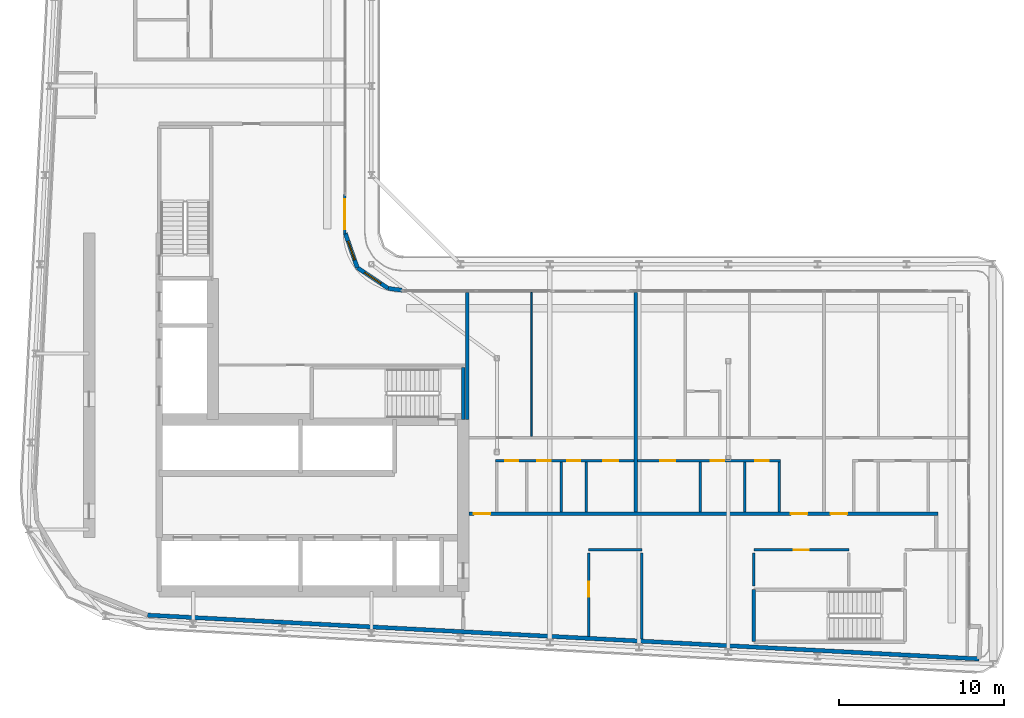
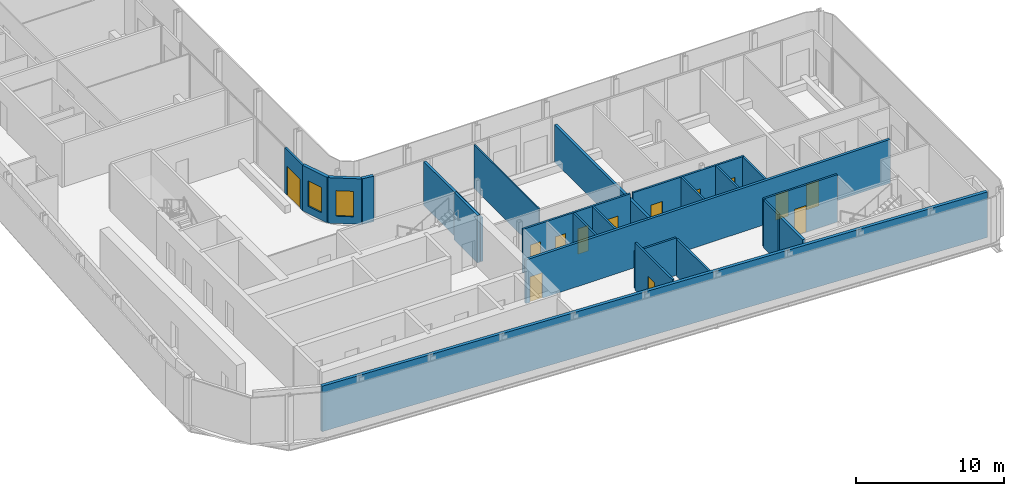
# One storey, part 11 of 22: 23 walls, 13 doors, 2 windows, 15 openings.
"""IFC4 building model written with IfcOpenShell, lengths in metres."""

from ifc_helpers import new_model, si_unit, direction, frame, frame_2d, origin, place, context, subcontext, project, spatial, rectangle, extrude, source, transform, mapped, material, layer, layer_set, type_object, element, fill, save


model = new_model("IFC4")

# Units and contexts
model_context = context("Model", 3, precision=1e-05, world=origin(), true_north=direction((0.0, 1.0)))
body_context = subcontext(model_context, "Body", "Model", "MODEL_VIEW")
ifc_project = project(units=[si_unit("LENGTHUNIT", "METRE"), si_unit("AREAUNIT", "SQUARE_METRE"), si_unit("VOLUMEUNIT", "CUBIC_METRE"), si_unit("PLANEANGLEUNIT", "RADIAN"), si_unit("MASSUNIT", "GRAM", prefix="KILO")], contexts=[model_context])

# Site, building, storey
site_placement = place(None, origin())
site = spatial("IfcSite", under=ifc_project, at=site_placement, CompositionType="ELEMENT")
building_placement = place(site_placement, origin())
building = spatial("IfcBuilding", under=site, at=building_placement, Name="Kheshtan School and Residences Tower", CompositionType="ELEMENT")
storey_placement = place(building_placement, frame((0.0, 0.0, 251.300048828125)))
storey = spatial("IfcBuildingStorey", under=building, at=storey_placement, Name="L59", CompositionType="ELEMENT", Elevation=251.300048828125)

# Wall, openings, doors
ifc_material_1 = material(Name="Gypsum board on steel studs with fire boards", Category="steel")
ifc_layer_1 = layer(ifc_material_1, 0.199951171875)
ifc_layer_set_1 = layer_set([ifc_layer_1], Name="Corridor wall 200")
wall_type_1 = type_object("IfcWallType", Name="Corridor wall 200", PredefinedType="PARTITIONING", material=ifc_layer_set_1)
wall_1_placement = place(storey_placement, frame((53.4990234375, 30.5, 0.0), z_axis=(0.0, 0.0, 1.0), x_axis=(1.0, 0.0, 0.0)))
wall_1 = element("IfcWall", 1, at=wall_1_placement, inside=storey, type_object=wall_type_1, Name="Partition L59-031", PredefinedType="PARTITIONING", context=body_context, shape_type="SweptSolid", body=[
    extrude(rectangle(XDim=28.40087890625, YDim=0.199951171875, at=frame_2d((14.200439453125, 0.0))), origin(), (0.0, 0.0, 1.0), 3.599853515625),
])
opening_1_placement = place(wall_1_placement, frame((0.301025390625, 0.0, 0.0)))
opening_1 = element("IfcOpeningElement", 2, at=opening_1_placement, cuts=wall_1, Name="Opening D58-003", PredefinedType="OPENING", context=body_context, shape_type="SweptSolid", body=[
    extrude(rectangle(XDim=1.0, YDim=2.10009765625, at=frame_2d((0.5, 1.050048828125))), frame((0.0, 0.10986328125, 0.0), z_axis=(0.0, -1.0, 0.0), x_axis=(1.0, 0.0, 0.0)), (0.0, 0.0, 1.0), 0.219970703125),
])
opening_2_placement = place(wall_1_placement, frame((19.5009765625, 0.0, 0.0)))
opening_2 = element("IfcOpeningElement", 3, at=opening_2_placement, cuts=wall_1, Name="Opening D58-011", PredefinedType="OPENING", context=body_context, shape_type="SweptSolid", body=[
    extrude(rectangle(XDim=1.0, YDim=2.10009765625, at=frame_2d((0.5, 1.050048828125))), frame((0.0, 0.10986328125, 0.0), z_axis=(0.0, -1.0, 0.0), x_axis=(1.0, 0.0, 0.0)), (0.0, 0.0, 1.0), 0.219970703125),
])
opening_3_placement = place(wall_1_placement, frame((21.90087890625, 0.0, 0.0)))
opening_3 = element("IfcOpeningElement", 4, at=opening_3_placement, cuts=wall_1, Name="Opening D58-018", PredefinedType="OPENING", context=body_context, shape_type="SweptSolid", body=[
    extrude(rectangle(XDim=1.0, YDim=2.10009765625, at=frame_2d((0.5, 1.050048828125))), frame((0.0, 0.10986328125, 0.0), z_axis=(0.0, -1.0, 0.0), x_axis=(1.0, 0.0, 0.0)), (0.0, 0.0, 1.0), 0.219970703125),
])
ifc_material_2 = material(Name="Steel-framed fire-resisting door leaf", Category="steel")
door_type_1 = type_object("IfcDoorType", Name="Fire door FD30S 1000 x 2100", OperationType="SINGLE_SWING_LEFT", PredefinedType="DOOR", material=ifc_material_2)
shared_shape_1 = source(origin(), body_context, "Body", "SweptSolid", [
    extrude(rectangle(XDim=1.0, YDim=2.10009765625, at=frame_2d((0.5, 1.050048828125))), frame((0.0, 0.02490234375, 0.0), z_axis=(0.0, -1.0, 0.0), x_axis=(1.0, 0.0, 0.0)), (0.0, 0.0, 1.0), 0.050048828125),
])
door_1_placement = place(opening_1_placement, origin())
door_1 = element("IfcDoor", 5, at=door_1_placement, inside=storey, type_object=door_type_1, Name="Door D58-003", OperationType="SINGLE_SWING_LEFT", OverallHeight=2.10009765625, OverallWidth=1.0, PredefinedType="DOOR", context=body_context, shape_type="MappedRepresentation", body=[
    mapped(shared_shape_1, transform((0.0, 0.0, 0.0), x_axis=(1.0, 0.0, 0.0), y_axis=(0.0, 1.0, 0.0), z_axis=(0.0, 0.0, 1.0), scale=1.0)),
])
fill(opening_1, door_1)
door_2_placement = place(opening_2_placement, origin())
door_2 = element("IfcDoor", 6, at=door_2_placement, inside=storey, type_object=door_type_1, Name="Door D58-011", OperationType="SINGLE_SWING_LEFT", OverallHeight=2.10009765625, OverallWidth=1.0, PredefinedType="DOOR", context=body_context, shape_type="MappedRepresentation", body=[
    mapped(shared_shape_1, transform((0.0, 0.0, 0.0), x_axis=(1.0, 0.0, 0.0), y_axis=(0.0, 1.0, 0.0), z_axis=(0.0, 0.0, 1.0), scale=1.0)),
])
fill(opening_2, door_2)
door_3_placement = place(opening_3_placement, origin())
door_3 = element("IfcDoor", 7, at=door_3_placement, inside=storey, type_object=door_type_1, Name="Door D58-018", OperationType="SINGLE_SWING_LEFT", OverallHeight=2.10009765625, OverallWidth=1.0, PredefinedType="DOOR", context=body_context, shape_type="MappedRepresentation", body=[
    mapped(shared_shape_1, transform((0.0, 0.0, 0.0), x_axis=(1.0, 0.0, 0.0), y_axis=(0.0, 1.0, 0.0), z_axis=(0.0, 0.0, 1.0), scale=1.0)),
])
fill(opening_3, door_3)

# Wall, opening, window
ifc_material_3 = material(Name="Concrete C40/50 with ceramic cladding and mineral wool insulation", Category="concrete")
ifc_layer_2 = layer(ifc_material_3, 0.25)
ifc_layer_set_2 = layer_set([ifc_layer_2], Name="External wall 250 ceramic clad")
wall_type_2 = type_object("IfcWallType", Name="External wall 250 ceramic clad", PredefinedType="SOLIDWALL", material=ifc_layer_set_2)
wall_2_placement = place(storey_placement, frame((46.01806640625, 47.470947265625, 0.0), z_axis=(0.0, 0.0, 1.0), x_axis=(0.328791208903, -0.944402637093, 0.0)))
wall_2 = element("IfcWall", 8, at=wall_2_placement, inside=storey, type_object=wall_type_2, Name="External wall L59 9", PredefinedType="SOLIDWALL", context=body_context, shape_type="SweptSolid", body=[
    extrude(rectangle(XDim=2.20458984375, YDim=0.25, at=frame_2d((1.102294921875, 0.0))), origin(), (0.0, 0.0, 1.0), 3.75),
])
opening_4_placement = place(wall_2_placement, frame((0.5029296875, 0.0, 0.60009765625)))
opening_4 = element("IfcOpeningElement", 9, at=opening_4_placement, cuts=wall_2, Name="Opening WN-E", PredefinedType="OPENING", context=body_context, shape_type="SweptSolid", body=[
    extrude(rectangle(XDim=1.199951171875, YDim=2.10009765625, at=frame_2d((0.60009765625, 1.050048828125))), frame((0.0, 0.135009765625, 0.0), z_axis=(0.0, -1.0, 0.0), x_axis=(1.0, 0.0, 0.0)), (0.0, 0.0, 1.0), 0.27001953125),
])
ifc_material_4 = material(Name="Clear low-e glass in thermally broken aluminium frame", Category="aluminium")
window_type = type_object("IfcWindowType", Name="Window WN-E", PartitioningType="SINGLE_PANEL", PredefinedType="WINDOW", material=ifc_material_4)
shared_shape_2 = source(origin(), body_context, "Body", "SweptSolid", [
    extrude(rectangle(XDim=1.199951171875, YDim=2.10009765625, at=frame_2d((0.60009765625, 1.050048828125))), frame((0.0, 0.030029296875, 0.0), z_axis=(0.0, -1.0, 0.0), x_axis=(1.0, 0.0, 0.0)), (0.0, 0.0, 1.0), 0.06005859375),
])
window_1_placement = place(opening_4_placement, origin())
window_1 = element("IfcWindow", 10, at=window_1_placement, inside=storey, type_object=window_type, Name="Window L59 9", OverallHeight=2.10009765625, OverallWidth=1.199951171875, PartitioningType="SINGLE_PANEL", PredefinedType="WINDOW", context=body_context, shape_type="MappedRepresentation", body=[
    mapped(shared_shape_2, transform((0.0, 0.0, 0.0), x_axis=(1.0, 0.0, 0.0), y_axis=(0.0, 1.0, 0.0), z_axis=(0.0, 0.0, 1.0), scale=1.0)),
])
fill(opening_4, window_1)

wall_3_placement = place(storey_placement, frame((46.742919921875, 45.388916015625, 0.0), z_axis=(0.0, 0.0, 1.0), x_axis=(0.831449265529, -0.555600682912, 0.0)))
wall_3 = element("IfcWall", 11, at=wall_3_placement, inside=storey, type_object=wall_type_2, Name="External wall L59 10", PredefinedType="SOLIDWALL", context=body_context, shape_type="SweptSolid", body=[
    extrude(rectangle(XDim=2.25146484375, YDim=0.25, at=frame_2d((1.125732421875, 0.0))), origin(), (0.0, 0.0, 1.0), 3.75),
])
opening_5_placement = place(wall_3_placement, frame((0.52490234375, 0.0, 0.60009765625)))
opening_5 = element("IfcOpeningElement", 12, at=opening_5_placement, cuts=wall_3, Name="Opening WN-E", PredefinedType="OPENING", context=body_context, shape_type="SweptSolid", body=[
    extrude(rectangle(XDim=1.199951171875, YDim=2.10009765625, at=frame_2d((0.60009765625, 1.050048828125))), frame((0.0, 0.135009765625, 0.0), z_axis=(0.0, -1.0, 0.0), x_axis=(1.0, 0.0, 0.0)), (0.0, 0.0, 1.0), 0.27001953125),
])
window_2_placement = place(opening_5_placement, origin())
window_2 = element("IfcWindow", 13, at=window_2_placement, inside=storey, type_object=window_type, Name="Window L59 10", OverallHeight=2.10009765625, OverallWidth=1.199951171875, PartitioningType="SINGLE_PANEL", PredefinedType="WINDOW", context=body_context, shape_type="MappedRepresentation", body=[
    mapped(shared_shape_2, transform((0.0, 0.0, 0.0), x_axis=(1.0, 0.0, 0.0), y_axis=(0.0, 1.0, 0.0), z_axis=(0.0, 0.0, 1.0), scale=1.0)),
])
fill(opening_5, window_2)

# Walls
wall_4_placement = place(storey_placement, frame((48.614990234375, 44.137939453125, 0.0), z_axis=(0.0, 0.0, 1.0), x_axis=(0.990741504246, -0.135761819977, 0.0)))
element("IfcWall", 14, at=wall_4_placement, inside=storey, type_object=wall_type_2, Name="External wall L59 11", PredefinedType="SOLIDWALL", context=body_context, shape_type="SweptSolid", body=[
    extrude(rectangle(XDim=0.83984375, YDim=0.25, at=frame_2d((0.419921875, 0.0))), origin(), (0.0, 0.0, 1.0), 3.75),
])
wall_5_placement = place(storey_placement, frame((84.385986328125, 21.702880859375, 0.0), z_axis=(0.0, 0.0, 1.0), x_axis=(-0.998617508267, 0.05256493302, 0.0)))
element("IfcWall", 15, at=wall_5_placement, inside=storey, type_object=wall_type_2, Name="External wall L59 16", PredefinedType="SOLIDWALL", context=body_context, shape_type="SweptSolid", body=[
    extrude(rectangle(XDim=50.41650390625, YDim=0.25, at=frame_2d((25.208251953125, 0.0))), origin(), (0.0, 0.0, 1.0), 3.75),
])

# Wall, opening, door
ifc_material_5 = material(Name="Aluminium frame wall with insulated infill", Category="aluminium")
ifc_layer_3 = layer(ifc_material_5, 0.14990234375)
ifc_layer_set_3 = layer_set([ifc_layer_3], Name="Glazing frame wall 150")
wall_type_3 = type_object("IfcWallType", Name="Glazing frame wall 150", PredefinedType="SOLIDWALL", material=ifc_layer_set_3)
wall_6_placement = place(storey_placement, frame((45.97509765625, 49.830078125, 0.0), z_axis=(0.0, 0.0, 1.0), x_axis=(0.0, -1.0, 0.0)))
wall_6 = element("IfcWall", 16, at=wall_6_placement, inside=storey, type_object=wall_type_3, Name="Balcony door wall L59 8.5", PredefinedType="SOLIDWALL", context=body_context, shape_type="SweptSolid", body=[
    extrude(rectangle(XDim=2.400146484375, YDim=0.14990234375, at=frame_2d((1.2001953125, 0.0))), origin(), (0.0, 0.0, 1.0), 3.75),
])
opening_6_placement = place(wall_6_placement, frame((0.300048828125, 0.0, 0.0)))
opening_6 = element("IfcOpeningElement", 17, at=opening_6_placement, cuts=wall_6, Name="Opening BD", PredefinedType="OPENING", context=body_context, shape_type="SweptSolid", body=[
    extrude(rectangle(XDim=1.800048828125, YDim=2.39990234375, at=frame_2d((0.89990234375, 1.199951171875))), frame((0.0, 0.0849609375, 0.0), z_axis=(0.0, -1.0, 0.0), x_axis=(1.0, 0.0, 0.0)), (0.0, 0.0, 1.0), 0.169921875),
])
door_type_2 = type_object("IfcDoorType", Name="Balcony sliding door", OperationType="SLIDING_TO_LEFT", PredefinedType="DOOR", material=ifc_material_4)
shared_shape_3 = source(origin(), body_context, "Body", "SweptSolid", [
    extrude(rectangle(XDim=1.800048828125, YDim=2.39990234375, at=frame_2d((0.89990234375, 1.199951171875))), frame((0.0, 0.02490234375, 0.0), z_axis=(0.0, -1.0, 0.0), x_axis=(1.0, 0.0, 0.0)), (0.0, 0.0, 1.0), 0.050048828125),
])
door_4_placement = place(opening_6_placement, origin())
door_4 = element("IfcDoor", 18, at=door_4_placement, inside=storey, type_object=door_type_2, Name="Balcony door L59 8.5", OperationType="SLIDING_TO_LEFT", OverallHeight=2.39990234375, OverallWidth=1.800048828125, PredefinedType="DOOR", context=body_context, shape_type="MappedRepresentation", body=[
    mapped(shared_shape_3, transform((0.0, 0.0, 0.0), x_axis=(1.0, 0.0, 0.0), y_axis=(0.0, 1.0, 0.0), z_axis=(0.0, 0.0, 1.0), scale=1.0)),
])
fill(opening_6, door_4)

# Walls
ifc_material_6 = material(Name="Gypsum board on steel studs", Category="steel")
ifc_layer_4 = layer(ifc_material_6, 0.10009765625)
ifc_layer_set_4 = layer_set([ifc_layer_4], Name="Gypsum partition 100")
wall_type_4 = type_object("IfcWallType", Name="Gypsum partition 100", PredefinedType="PARTITIONING", material=ifc_layer_set_4)
wall_7_placement = place(storey_placement, frame((57.300048828125, 35.175048828125, 0.0), z_axis=(0.0, 0.0, 1.0), x_axis=(0.0, 1.0, 0.0)))
element("IfcWall", 19, at=wall_7_placement, inside=storey, type_object=wall_type_4, Name="Partition L59-036", PredefinedType="PARTITIONING", context=body_context, shape_type="SweptSolid", body=[
    extrude(rectangle(XDim=8.724853515625, YDim=0.10009765625, at=frame_2d((4.3623046875, 0.0))), origin(), (0.0, 0.0, 1.0), 3.599853515625),
])
ifc_material_7 = material(Name="Fire-board shaft wall system")
ifc_layer_5 = layer(ifc_material_7, 0.14990234375)
ifc_layer_set_5 = layer_set([ifc_layer_5], Name="Service room wall 150")
wall_type_5 = type_object("IfcWallType", Name="Service room wall 150", PredefinedType="PARTITIONING", material=ifc_layer_set_5)
wall_8_placement = place(storey_placement, frame((60.75, 28.300048828125, 0.0), z_axis=(0.0, 0.0, 1.0), x_axis=(1.0, 0.0, 0.0)))
element("IfcWall", 20, at=wall_8_placement, inside=storey, type_object=wall_type_5, Name="Service room wall", PredefinedType="PARTITIONING", context=body_context, shape_type="SweptSolid", body=[
    extrude(rectangle(XDim=3.22998046875, YDim=0.14990234375, at=frame_2d((1.614990234375, 0.0))), origin(), (0.0, 0.0, 1.0), 3.072021484375),
])

# Wall, opening, door
wall_9_placement = place(storey_placement, frame((60.75, 23.074951171875, 0.0), z_axis=(0.0, 0.0, 1.0), x_axis=(0.0, 1.0, 0.0)))
wall_9 = element("IfcWall", 21, at=wall_9_placement, inside=storey, type_object=wall_type_5, Name="Service room wall", PredefinedType="PARTITIONING", context=body_context, shape_type="SweptSolid", body=[
    extrude(rectangle(XDim=5.030029296875, YDim=0.14990234375, at=frame_2d((2.51513671875, 0.0))), origin(), (0.0, 0.0, 1.0), 3.89990234375),
])
opening_7_placement = place(wall_9_placement, frame((2.386962890625, 0.0, 0.0)))
opening_7 = element("IfcOpeningElement", 22, at=opening_7_placement, cuts=wall_9, Name="Opening SR90", PredefinedType="OPENING", context=body_context, shape_type="SweptSolid", body=[
    extrude(rectangle(XDim=0.89990234375, YDim=2.199951171875, at=frame_2d((0.449951171875, 1.10009765625))), frame((0.0, 0.0849609375, 0.0), z_axis=(0.0, -1.0, 0.0), x_axis=(1.0, 0.0, 0.0)), (0.0, 0.0, 1.0), 0.169921875),
])
ifc_material_8 = material(Name="Steel door leaf, galvanised", Category="steel")
door_type_3 = type_object("IfcDoorType", Name="Service room door 900 steel 90 min", OperationType="SINGLE_SWING_LEFT", PredefinedType="DOOR", material=ifc_material_8)
shared_shape_4 = source(origin(), body_context, "Body", "SweptSolid", [
    extrude(rectangle(XDim=0.89990234375, YDim=2.199951171875, at=frame_2d((0.449951171875, 1.10009765625))), frame((0.0, 0.02490234375, 0.0), z_axis=(0.0, -1.0, 0.0), x_axis=(1.0, 0.0, 0.0)), (0.0, 0.0, 1.0), 0.050048828125),
])
door_5_placement = place(opening_7_placement, origin())
door_5 = element("IfcDoor", 23, at=door_5_placement, inside=storey, type_object=door_type_3, Name="Service room door", OperationType="SINGLE_SWING_LEFT", OverallHeight=2.199951171875, OverallWidth=0.89990234375, PredefinedType="DOOR", context=body_context, shape_type="MappedRepresentation", body=[
    mapped(shared_shape_4, transform((0.0, 0.0, 0.0), x_axis=(1.0, 0.0, 0.0), y_axis=(0.0, 1.0, 0.0), z_axis=(0.0, 0.0, 1.0), scale=1.0)),
])
fill(opening_7, door_5)

# Wall
wall_10_placement = place(storey_placement, frame((63.97998046875, 22.905029296875, 0.0), z_axis=(0.0, 0.0, 1.0), x_axis=(0.0, 1.0, 0.0)))
element("IfcWall", 24, at=wall_10_placement, inside=storey, type_object=wall_type_5, Name="Service room wall", PredefinedType="PARTITIONING", context=body_context, shape_type="SweptSolid", body=[
    extrude(rectangle(XDim=5.199951171875, YDim=0.14990234375, at=frame_2d((2.60009765625, 0.0))), origin(), (0.0, 0.0, 1.0), 3.072021484375),
])

# Wall, opening, door
wall_11_placement = place(storey_placement, frame((70.75, 28.300048828125, 0.0), z_axis=(0.0, 0.0, 1.0), x_axis=(1.0, 0.0, 0.0)))
wall_11 = element("IfcWall", 25, at=wall_11_placement, inside=storey, type_object=wall_type_5, Name="Service room wall", PredefinedType="PARTITIONING", context=body_context, shape_type="SweptSolid", body=[
    extrude(rectangle(XDim=5.760009765625, YDim=0.14990234375, at=frame_2d((2.8798828125, 0.0))), origin(), (0.0, 0.0, 1.0), 3.89990234375),
])
opening_8_placement = place(wall_11_placement, frame((2.429931640625, 0.0, 0.0)))
opening_8 = element("IfcOpeningElement", 26, at=opening_8_placement, cuts=wall_11, Name="Opening SR90", PredefinedType="OPENING", context=body_context, shape_type="SweptSolid", body=[
    extrude(rectangle(XDim=0.89990234375, YDim=2.199951171875, at=frame_2d((0.449951171875, 1.10009765625))), frame((0.0, 0.0849609375, 0.0), z_axis=(0.0, -1.0, 0.0), x_axis=(1.0, 0.0, 0.0)), (0.0, 0.0, 1.0), 0.169921875),
])
door_6_placement = place(opening_8_placement, origin())
door_6 = element("IfcDoor", 27, at=door_6_placement, inside=storey, type_object=door_type_3, Name="Service room door", OperationType="SINGLE_SWING_LEFT", OverallHeight=2.199951171875, OverallWidth=0.89990234375, PredefinedType="DOOR", context=body_context, shape_type="MappedRepresentation", body=[
    mapped(shared_shape_4, transform((0.0, 0.0, 0.0), x_axis=(1.0, 0.0, 0.0), y_axis=(0.0, 1.0, 0.0), z_axis=(0.0, 0.0, 1.0), scale=1.0)),
])
fill(opening_8, door_6)

# Walls
wall_12_placement = place(storey_placement, frame((70.75, 26.1201171875, 0.0), z_axis=(0.0, 0.0, 1.0), x_axis=(0.0, 1.0, 0.0)))
element("IfcWall", 28, at=wall_12_placement, inside=storey, type_object=wall_type_5, Name="Service room wall", PredefinedType="PARTITIONING", context=body_context, shape_type="SweptSolid", body=[
    extrude(rectangle(XDim=1.98486328125, YDim=0.14990234375, at=frame_2d((0.992431640625, 0.0))), origin(), (0.0, 0.0, 1.0), 3.89990234375),
])
ifc_material_9 = material(Name="Concrete C40/50", Category="concrete")
ifc_layer_6 = layer(ifc_material_9, 0.199951171875)
ifc_layer_set_6 = layer_set([ifc_layer_6], Name="Stair enclosure wall 200 Concrete C40/50")
wall_type_6 = type_object("IfcWallType", Name="Stair enclosure wall 200 Concrete C40/50", PredefinedType="SHEAR", material=ifc_layer_set_6)
wall_13_placement = place(storey_placement, frame((53.14990234375, 36.199951171875, 0.0), z_axis=(0.0, 0.0, 1.0), x_axis=(0.0, 1.0, 0.0)))
element("IfcWall", 29, at=wall_13_placement, inside=storey, type_object=wall_type_6, Name="Stair enclosure wall ST1", PredefinedType="SHEAR", context=body_context, shape_type="SweptSolid", body=[
    extrude(rectangle(XDim=3.150146484375, YDim=0.199951171875, at=frame_2d((1.5751953125, 0.0))), origin(), (0.0, 0.0, 1.0), 3.89990234375),
])
wall_14_placement = place(storey_placement, frame((70.75, 22.75, 0.0), z_axis=(0.0, 0.0, 1.0), x_axis=(0.0, 1.0, 0.0)))
element("IfcWall", 30, at=wall_14_placement, inside=storey, type_object=wall_type_6, Name="Stair enclosure wall ST5", PredefinedType="SHEAR", context=body_context, shape_type="SweptSolid", body=[
    extrude(rectangle(XDim=3.14990234375, YDim=0.199951171875, at=frame_2d((1.574951171875, 0.0))), origin(), (0.0, 0.0, 1.0), 3.89990234375),
])
ifc_material_10 = material(Name="Twin gypsum board on steel studs with mineral wool", Category="steel")
ifc_layer_7 = layer(ifc_material_10, 0.199951171875)
ifc_layer_set_7 = layer_set([ifc_layer_7], Name="Unit demising wall 200")
wall_type_7 = type_object("IfcWallType", Name="Unit demising wall 200", PredefinedType="PARTITIONING", material=ifc_layer_set_7)
wall_15_placement = place(storey_placement, frame((53.39990234375, 36.198974609375, 0.0), z_axis=(0.0, 0.0, 1.0), x_axis=(0.0, 1.0, 0.0)))
element("IfcWall", 31, at=wall_15_placement, inside=storey, type_object=wall_type_7, Name="Partition L59-030", PredefinedType="PARTITIONING", context=body_context, shape_type="SweptSolid", body=[
    extrude(rectangle(XDim=7.700927734375, YDim=0.199951171875, at=frame_2d((3.8505859375, 0.0))), origin(), (0.0, 0.0, 1.0), 3.599853515625),
])
wall_16_placement = place(storey_placement, frame((63.60009765625, 30.60009765625, 0.0), z_axis=(0.0, 0.0, 1.0), x_axis=(0.0, 1.0, 0.0)))
element("IfcWall", 32, at=wall_16_placement, inside=storey, type_object=wall_type_7, Name="Partition L59-039", PredefinedType="PARTITIONING", context=body_context, shape_type="SweptSolid", body=[
    extrude(rectangle(XDim=13.2998046875, YDim=0.199951171875, at=frame_2d((6.64990234375, 0.0))), origin(), (0.0, 0.0, 1.0), 3.072021484375),
])

# Wall, openings, doors
ifc_material_11 = material(Name="Moisture-resistant gypsum board on steel studs", Category="steel")
ifc_layer_8 = layer(ifc_material_11, 0.14990234375)
ifc_layer_set_8 = layer_set([ifc_layer_8], Name="Wet-room partition 150")
wall_type_8 = type_object("IfcWallType", Name="Wet-room partition 150", PredefinedType="PARTITIONING", material=ifc_layer_set_8)
wall_17_placement = place(storey_placement, frame((55.125, 33.699951171875, 0.0), z_axis=(0.0, 0.0, 1.0), x_axis=(1.0, 0.0, 0.0)))
wall_17 = element("IfcWall", 33, at=wall_17_placement, inside=storey, type_object=wall_type_8, Name="Partition L59-033", PredefinedType="PARTITIONING", context=body_context, shape_type="SweptSolid", body=[
    extrude(rectangle(XDim=8.375, YDim=0.14990234375, at=frame_2d((4.1875, 0.0))), origin(), (0.0, 0.0, 1.0), 3.599853515625),
])
opening_9_placement = place(wall_17_placement, frame((2.52490234375, 0.0, 0.0)))
opening_9 = element("IfcOpeningElement", 34, at=opening_9_placement, cuts=wall_17, Name="Opening D58-001", PredefinedType="OPENING", context=body_context, shape_type="SweptSolid", body=[
    extrude(rectangle(XDim=0.800048828125, YDim=2.10009765625, at=frame_2d((0.39990234375, 1.050048828125))), frame((0.0, 0.0849609375, 0.0), z_axis=(0.0, -1.0, 0.0), x_axis=(1.0, 0.0, 0.0)), (0.0, 0.0, 1.0), 0.169921875),
])
opening_10_placement = place(wall_17_placement, frame((6.52490234375, 0.0, 0.0)))
opening_10 = element("IfcOpeningElement", 35, at=opening_10_placement, cuts=wall_17, Name="Opening D58-004", PredefinedType="OPENING", context=body_context, shape_type="SweptSolid", body=[
    extrude(rectangle(XDim=0.89990234375, YDim=2.10009765625, at=frame_2d((0.449951171875, 1.050048828125))), frame((0.0, 0.0849609375, 0.0), z_axis=(0.0, -1.0, 0.0), x_axis=(1.0, 0.0, 0.0)), (0.0, 0.0, 1.0), 0.169921875),
])
opening_11_placement = place(wall_17_placement, frame((0.574951171875, 0.0, 0.0)))
opening_11 = element("IfcOpeningElement", 36, at=opening_11_placement, cuts=wall_17, Name="Opening D58-005", PredefinedType="OPENING", context=body_context, shape_type="SweptSolid", body=[
    extrude(rectangle(XDim=0.800048828125, YDim=2.10009765625, at=frame_2d((0.39990234375, 1.050048828125))), frame((0.0, 0.0849609375, 0.0), z_axis=(0.0, -1.0, 0.0), x_axis=(1.0, 0.0, 0.0)), (0.0, 0.0, 1.0), 0.169921875),
])
opening_12_placement = place(wall_17_placement, frame((4.324951171875, 0.0, 0.0)))
opening_12 = element("IfcOpeningElement", 37, at=opening_12_placement, cuts=wall_17, Name="Opening D58-007", PredefinedType="OPENING", context=body_context, shape_type="SweptSolid", body=[
    extrude(rectangle(XDim=0.800048828125, YDim=2.10009765625, at=frame_2d((0.39990234375, 1.050048828125))), frame((0.0, 0.0849609375, 0.0), z_axis=(0.0, -1.0, 0.0), x_axis=(1.0, 0.0, 0.0)), (0.0, 0.0, 1.0), 0.169921875),
])
ifc_material_12 = material(Name="Veneered timber door leaf", Category="wood")
door_type_4 = type_object("IfcDoorType", Name="Door 800 x 2100", OperationType="SINGLE_SWING_LEFT", PredefinedType="DOOR", material=ifc_material_12)
shared_shape_5 = source(origin(), body_context, "Body", "SweptSolid", [
    extrude(rectangle(XDim=0.800048828125, YDim=2.10009765625, at=frame_2d((0.39990234375, 1.050048828125))), frame((0.0, 0.02490234375, 0.0), z_axis=(0.0, -1.0, 0.0), x_axis=(1.0, 0.0, 0.0)), (0.0, 0.0, 1.0), 0.050048828125),
])
door_7_placement = place(opening_9_placement, origin())
door_7 = element("IfcDoor", 38, at=door_7_placement, inside=storey, type_object=door_type_4, Name="Door D58-001", OperationType="SINGLE_SWING_RIGHT", OverallHeight=2.10009765625, OverallWidth=0.800048828125, PredefinedType="DOOR", context=body_context, shape_type="MappedRepresentation", body=[
    mapped(shared_shape_5, transform((0.0, 0.0, 0.0), x_axis=(1.0, 0.0, 0.0), y_axis=(0.0, 1.0, 0.0), z_axis=(0.0, 0.0, 1.0), scale=1.0)),
])
fill(opening_9, door_7)
door_8_placement = place(opening_11_placement, origin())
door_8 = element("IfcDoor", 39, at=door_8_placement, inside=storey, type_object=door_type_4, Name="Door D58-005", OperationType="SINGLE_SWING_LEFT", OverallHeight=2.10009765625, OverallWidth=0.800048828125, PredefinedType="DOOR", context=body_context, shape_type="MappedRepresentation", body=[
    mapped(shared_shape_5, transform((0.0, 0.0, 0.0), x_axis=(1.0, 0.0, 0.0), y_axis=(0.0, 1.0, 0.0), z_axis=(0.0, 0.0, 1.0), scale=1.0)),
])
fill(opening_11, door_8)
door_9_placement = place(opening_12_placement, origin())
door_9 = element("IfcDoor", 40, at=door_9_placement, inside=storey, type_object=door_type_4, Name="Door D58-007", OperationType="SINGLE_SWING_RIGHT", OverallHeight=2.10009765625, OverallWidth=0.800048828125, PredefinedType="DOOR", context=body_context, shape_type="MappedRepresentation", body=[
    mapped(shared_shape_5, transform((0.0, 0.0, 0.0), x_axis=(1.0, 0.0, 0.0), y_axis=(0.0, 1.0, 0.0), z_axis=(0.0, 0.0, 1.0), scale=1.0)),
])
fill(opening_12, door_9)
door_type_5 = type_object("IfcDoorType", Name="Door 900 x 2100", OperationType="SINGLE_SWING_LEFT", PredefinedType="DOOR", material=ifc_material_12)
shared_shape_6 = source(origin(), body_context, "Body", "SweptSolid", [
    extrude(rectangle(XDim=0.89990234375, YDim=2.10009765625, at=frame_2d((0.449951171875, 1.050048828125))), frame((0.0, 0.02490234375, 0.0), z_axis=(0.0, -1.0, 0.0), x_axis=(1.0, 0.0, 0.0)), (0.0, 0.0, 1.0), 0.050048828125),
])
door_10_placement = place(opening_10_placement, origin())
door_10 = element("IfcDoor", 41, at=door_10_placement, inside=storey, type_object=door_type_5, Name="Door D58-004", OperationType="SINGLE_SWING_RIGHT", OverallHeight=2.10009765625, OverallWidth=0.89990234375, PredefinedType="DOOR", context=body_context, shape_type="MappedRepresentation", body=[
    mapped(shared_shape_6, transform((0.0, 0.0, 0.0), x_axis=(1.0, 0.0, 0.0), y_axis=(0.0, 1.0, 0.0), z_axis=(0.0, 0.0, 1.0), scale=1.0)),
])
fill(opening_10, door_10)

# Walls
for number, where, z_axis, x_axis, name in (
    (42, (59.10009765625, 30.60009765625, 0.0), (0.0, 0.0, 1.0), (0.0, 1.0, 0.0), "Partition L59-037"),
    (43, (60.60009765625, 30.60009765625, 0.0), (0.0, 0.0, 1.0), (0.0, 1.0, 0.0), "Partition L59-038"),
):
    element("IfcWall", number, at=place(storey_placement, frame(where, z_axis=z_axis, x_axis=x_axis)), inside=storey, type_object=wall_type_8, Name=name, PredefinedType="PARTITIONING", context=body_context, shape_type="SweptSolid", body=[
        extrude(rectangle(XDim=3.02490234375, YDim=0.14990234375, at=frame_2d((1.512451171875, 0.0))), origin(), (0.0, 0.0, 1.0), 3.599853515625),
    ])

# Wall, openings, doors
wall_18_placement = place(storey_placement, frame((63.699951171875, 33.699951171875, 0.0), z_axis=(0.0, 0.0, 1.0), x_axis=(1.0, 0.0, 0.0)))
wall_18 = element("IfcWall", 44, at=wall_18_placement, inside=storey, type_object=wall_type_8, Name="Partition L59-040", PredefinedType="PARTITIONING", context=body_context, shape_type="SweptSolid", body=[
    extrude(rectangle(XDim=8.675048828125, YDim=0.14990234375, at=frame_2d((4.33740234375, 0.0))), origin(), (0.0, 0.0, 1.0), 3.599853515625),
])
opening_13_placement = place(wall_18_placement, frame((4.449951171875, 0.0, 0.0)))
opening_13 = element("IfcOpeningElement", 45, at=opening_13_placement, cuts=wall_18, Name="Opening D58-008", PredefinedType="OPENING", context=body_context, shape_type="SweptSolid", body=[
    extrude(rectangle(XDim=0.800048828125, YDim=2.10009765625, at=frame_2d((0.39990234375, 1.050048828125))), frame((0.0, 0.0849609375, 0.0), z_axis=(0.0, -1.0, 0.0), x_axis=(1.0, 0.0, 0.0)), (0.0, 0.0, 1.0), 0.169921875),
])
opening_14_placement = place(wall_18_placement, frame((1.39990234375, 0.0, 0.0)))
opening_14 = element("IfcOpeningElement", 46, at=opening_14_placement, cuts=wall_18, Name="Opening D58-012", PredefinedType="OPENING", context=body_context, shape_type="SweptSolid", body=[
    extrude(rectangle(XDim=0.89990234375, YDim=2.10009765625, at=frame_2d((0.449951171875, 1.050048828125))), frame((0.0, 0.0849609375, 0.0), z_axis=(0.0, -1.0, 0.0), x_axis=(1.0, 0.0, 0.0)), (0.0, 0.0, 1.0), 0.169921875),
])
opening_15_placement = place(wall_18_placement, frame((7.14990234375, 0.0, 0.0)))
opening_15 = element("IfcOpeningElement", 47, at=opening_15_placement, cuts=wall_18, Name="Opening D58-015", PredefinedType="OPENING", context=body_context, shape_type="SweptSolid", body=[
    extrude(rectangle(XDim=0.800048828125, YDim=2.10009765625, at=frame_2d((0.39990234375, 1.050048828125))), frame((0.0, 0.0849609375, 0.0), z_axis=(0.0, -1.0, 0.0), x_axis=(1.0, 0.0, 0.0)), (0.0, 0.0, 1.0), 0.169921875),
])
door_11_placement = place(opening_13_placement, origin())
door_11 = element("IfcDoor", 48, at=door_11_placement, inside=storey, type_object=door_type_4, Name="Door D58-008", OperationType="SINGLE_SWING_RIGHT", OverallHeight=2.10009765625, OverallWidth=0.800048828125, PredefinedType="DOOR", context=body_context, shape_type="MappedRepresentation", body=[
    mapped(shared_shape_5, transform((0.0, 0.0, 0.0), x_axis=(1.0, 0.0, 0.0), y_axis=(0.0, 1.0, 0.0), z_axis=(0.0, 0.0, 1.0), scale=1.0)),
])
fill(opening_13, door_11)
door_12_placement = place(opening_15_placement, origin())
door_12 = element("IfcDoor", 49, at=door_12_placement, inside=storey, type_object=door_type_4, Name="Door D58-015", OperationType="SINGLE_SWING_LEFT", OverallHeight=2.10009765625, OverallWidth=0.800048828125, PredefinedType="DOOR", context=body_context, shape_type="MappedRepresentation", body=[
    mapped(shared_shape_5, transform((0.0, 0.0, 0.0), x_axis=(1.0, 0.0, 0.0), y_axis=(0.0, 1.0, 0.0), z_axis=(0.0, 0.0, 1.0), scale=1.0)),
])
fill(opening_15, door_12)
door_13_placement = place(opening_14_placement, origin())
door_13 = element("IfcDoor", 50, at=door_13_placement, inside=storey, type_object=door_type_5, Name="Door D58-012", OperationType="SINGLE_SWING_LEFT", OverallHeight=2.10009765625, OverallWidth=0.89990234375, PredefinedType="DOOR", context=body_context, shape_type="MappedRepresentation", body=[
    mapped(shared_shape_6, transform((0.0, 0.0, 0.0), x_axis=(1.0, 0.0, 0.0), y_axis=(0.0, 1.0, 0.0), z_axis=(0.0, 0.0, 1.0), scale=1.0)),
])
fill(opening_14, door_13)

# Walls
for number, where, z_axis, x_axis, name in (
    (51, (67.5, 30.60009765625, 0.0), (0.0, 0.0, 1.0), (0.0, 1.0, 0.0), "Partition L59-044"),
    (52, (70.199951171875, 30.60009765625, 0.0), (0.0, 0.0, 1.0), (0.0, 1.0, 0.0), "Partition L59-046"),
    (53, (72.300048828125, 30.60009765625, 0.0), (0.0, 0.0, 1.0), (0.0, 1.0, 0.0), "Partition L59-048"),
):
    element("IfcWall", number, at=place(storey_placement, frame(where, z_axis=z_axis, x_axis=x_axis)), inside=storey, type_object=wall_type_8, Name=name, PredefinedType="PARTITIONING", context=body_context, shape_type="SweptSolid", body=[
        extrude(rectangle(XDim=3.02490234375, YDim=0.14990234375, at=frame_2d((1.512451171875, 0.0))), origin(), (0.0, 0.0, 1.0), 3.599853515625),
    ])

save(model, "model.ifc")
